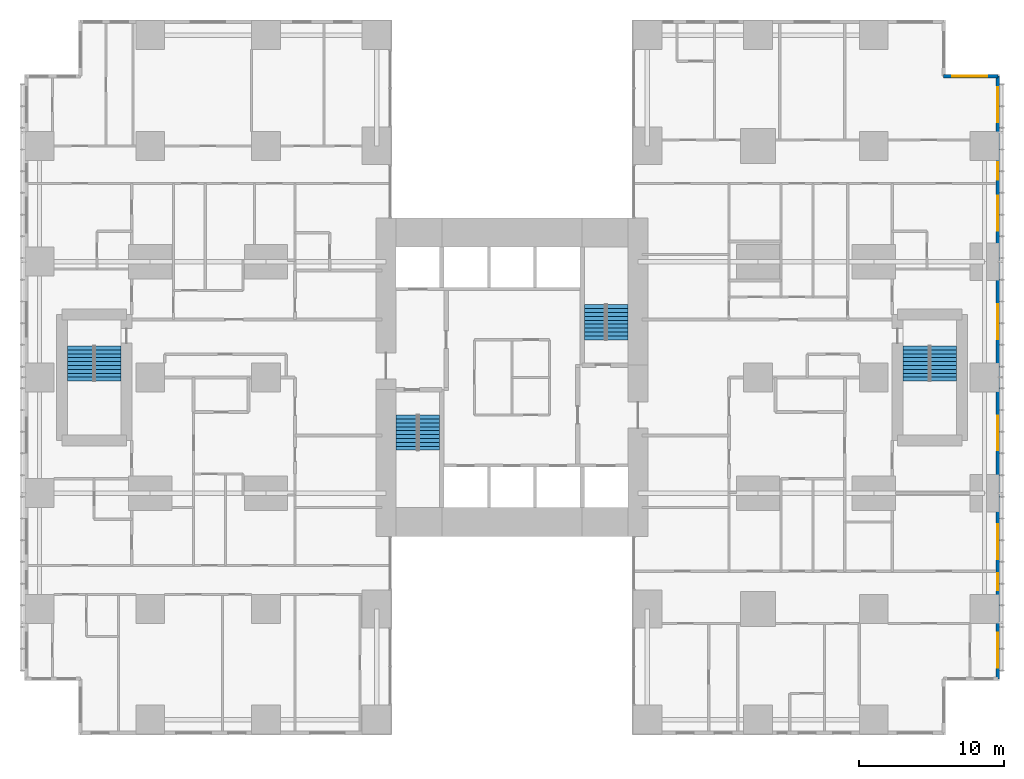
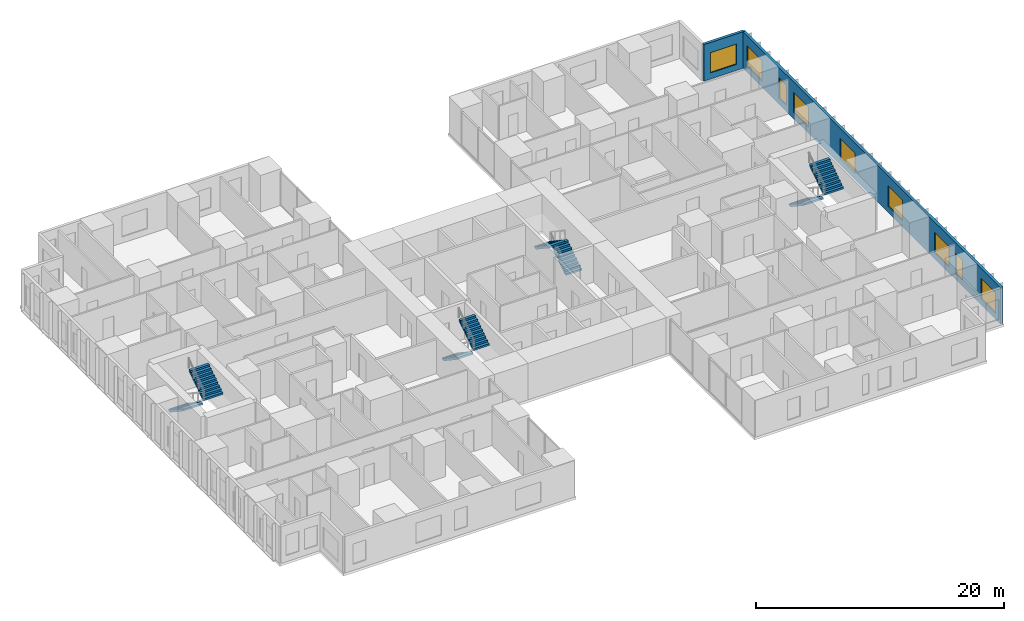
# One storey, part 19 of 20: 9 windows, 8 stair flights, 2 walls, 9 openings, 4 elements without a shape of their own.
"""IFC4 building model written with IfcOpenShell, lengths in metres."""

from ifc_helpers import new_model, si_unit, direction, frame, frame_2d, origin, place, context, subcontext, project, spatial, polyline, rectangle, outline, extrude, material, layer, layer_set, type_object, element, fill, aggregate, save


model = new_model("IFC4")

# Units and contexts
model_context = context("Model", 3, precision=1e-05, world=origin(), true_north=direction((0.0, 1.0)))
body_context = subcontext(model_context, "Body", "Model", "MODEL_VIEW")
ifc_project = project(units=[si_unit("LENGTHUNIT", "METRE"), si_unit("AREAUNIT", "SQUARE_METRE"), si_unit("VOLUMEUNIT", "CUBIC_METRE"), si_unit("PLANEANGLEUNIT", "RADIAN"), si_unit("MASSUNIT", "GRAM", prefix="KILO")], contexts=[model_context])

# Site, building, storey
site_placement = place(None, origin())
site = spatial("IfcSite", under=ifc_project, at=site_placement, CompositionType="ELEMENT")
building_placement = place(site_placement, origin())
building = spatial("IfcBuilding", under=site, at=building_placement, Name="Cleftline Residences", CompositionType="ELEMENT")
storey_placement = place(building_placement, frame((0.0, 0.0, 72.800048828125)))
storey = spatial("IfcBuildingStorey", under=building, at=storey_placement, Name="L18", CompositionType="ELEMENT", Elevation=72.800048828125)

# Wall, openings, windows
ifc_material_1 = material(Name="Rendered reinforced concrete blockwork", Category="masonry")
ifc_layer = layer(ifc_material_1, 0.25)
ifc_layer_set = layer_set([ifc_layer], Name="EXTERNAL WALL 250")
wall_type = type_object("IfcWallType", Name="EXTERNAL WALL 250", PredefinedType="SOLIDWALL", material=ifc_layer_set)
wall_1_placement = place(storey_placement, frame((66.574951171875, 3.175048828125, 0.0), z_axis=(0.0, 0.0, 1.0), x_axis=(0.0, 1.0, 0.0)))
wall_1 = element("IfcWall", 1, at=wall_1_placement, inside=storey, type_object=wall_type, Name="External wall", PredefinedType="SOLIDWALL", context=body_context, shape_type="SweptSolid", body=[
    extrude(rectangle(XDim=41.64990234375, YDim=0.25, at=frame_2d((20.824951171875, 0.0))), origin(), (0.0, 0.0, 1.0), 3.599853515625),
])
opening_1_placement = place(wall_1_placement, frame((0.77490234375, 0.0, 0.60009765625)))
opening_1 = element("IfcOpeningElement", 2, at=opening_1_placement, cuts=wall_1, Name="Opening W6", PredefinedType="OPENING", context=body_context, shape_type="SweptSolid", body=[
    extrude(rectangle(XDim=2.39990234375, YDim=2.0, at=frame_2d((1.199951171875, 1.0))), frame((0.0, 0.135009765625, 0.0), z_axis=(0.0, -1.0, 0.0), x_axis=(1.0, 0.0, 0.0)), (0.0, 0.0, 1.0), 0.27001953125),
])
opening_2_placement = place(wall_1_placement, frame((6.10009765625, 0.0, 0.60009765625)))
opening_2 = element("IfcOpeningElement", 3, at=opening_2_placement, cuts=wall_1, Name="Opening W8", PredefinedType="OPENING", context=body_context, shape_type="SweptSolid", body=[
    extrude(rectangle(XDim=1.199951171875, YDim=2.0, at=frame_2d((0.60009765625, 1.0))), frame((0.0, 0.135009765625, 0.0), z_axis=(0.0, -1.0, 0.0), x_axis=(1.0, 0.0, 0.0)), (0.0, 0.0, 1.0), 0.27001953125),
])
opening_3_placement = place(wall_1_placement, frame((8.27490234375, 0.0, 0.60009765625)))
opening_3 = element("IfcOpeningElement", 4, at=opening_3_placement, cuts=wall_1, Name="Opening W6", PredefinedType="OPENING", context=body_context, shape_type="SweptSolid", body=[
    extrude(rectangle(XDim=2.39990234375, YDim=2.0, at=frame_2d((1.199951171875, 1.0))), frame((0.0, 0.135009765625, 0.0), z_axis=(0.0, -1.0, 0.0), x_axis=(1.0, 0.0, 0.0)), (0.0, 0.0, 1.0), 0.27001953125),
])
opening_4_placement = place(wall_1_placement, frame((15.77490234375, 0.0, 0.60009765625)))
opening_4 = element("IfcOpeningElement", 5, at=opening_4_placement, cuts=wall_1, Name="Opening W6", PredefinedType="OPENING", context=body_context, shape_type="SweptSolid", body=[
    extrude(rectangle(XDim=2.39990234375, YDim=2.0, at=frame_2d((1.199951171875, 1.0))), frame((0.0, 0.135009765625, 0.0), z_axis=(0.0, -1.0, 0.0), x_axis=(1.0, 0.0, 0.0)), (0.0, 0.0, 1.0), 0.27001953125),
])
opening_5_placement = place(wall_1_placement, frame((23.47509765625, 0.0, 0.60009765625)))
opening_5 = element("IfcOpeningElement", 6, at=opening_5_placement, cuts=wall_1, Name="Opening W6", PredefinedType="OPENING", context=body_context, shape_type="SweptSolid", body=[
    extrude(rectangle(XDim=2.39990234375, YDim=2.0, at=frame_2d((1.199951171875, 1.0))), frame((0.0, 0.135009765625, 0.0), z_axis=(0.0, -1.0, 0.0), x_axis=(1.0, 0.0, 0.0)), (0.0, 0.0, 1.0), 0.27001953125),
])
opening_6_placement = place(wall_1_placement, frame((30.97509765625, 0.0, 0.60009765625)))
opening_6 = element("IfcOpeningElement", 7, at=opening_6_placement, cuts=wall_1, Name="Opening W6", PredefinedType="OPENING", context=body_context, shape_type="SweptSolid", body=[
    extrude(rectangle(XDim=2.39990234375, YDim=2.0, at=frame_2d((1.199951171875, 1.0))), frame((0.0, 0.135009765625, 0.0), z_axis=(0.0, -1.0, 0.0), x_axis=(1.0, 0.0, 0.0)), (0.0, 0.0, 1.0), 0.27001953125),
])
opening_7_placement = place(wall_1_placement, frame((34.5, 0.0, 0.60009765625)))
opening_7 = element("IfcOpeningElement", 8, at=opening_7_placement, cuts=wall_1, Name="Opening W8", PredefinedType="OPENING", context=body_context, shape_type="SweptSolid", body=[
    extrude(rectangle(XDim=1.199951171875, YDim=2.0, at=frame_2d((0.60009765625, 1.0))), frame((0.0, 0.135009765625, 0.0), z_axis=(0.0, -1.0, 0.0), x_axis=(1.0, 0.0, 0.0)), (0.0, 0.0, 1.0), 0.27001953125),
])
opening_8_placement = place(wall_1_placement, frame((38.47509765625, 0.0, 0.60009765625)))
opening_8 = element("IfcOpeningElement", 9, at=opening_8_placement, cuts=wall_1, Name="Opening W6", PredefinedType="OPENING", context=body_context, shape_type="SweptSolid", body=[
    extrude(rectangle(XDim=2.39990234375, YDim=2.0, at=frame_2d((1.199951171875, 1.0))), frame((0.0, 0.135009765625, 0.0), z_axis=(0.0, -1.0, 0.0), x_axis=(1.0, 0.0, 0.0)), (0.0, 0.0, 1.0), 0.27001953125),
])
ifc_material_2 = material(Name="Aluminium frame, clear double glazing", Category="aluminium")
window_type_1 = type_object("IfcWindowType", Name="WINDOW 1200X2000", PartitioningType="DOUBLE_PANEL_VERTICAL", PredefinedType="WINDOW", material=ifc_material_2)
window_1_placement = place(opening_2_placement, origin())
window_1 = element("IfcWindow", 10, at=window_1_placement, inside=storey, type_object=window_type_1, Name="Window", OverallHeight=2.0, OverallWidth=1.199951171875, PartitioningType="SINGLE_PANEL", PredefinedType="WINDOW", context=body_context, shape_type="SweptSolid", body=[
    extrude(rectangle(XDim=1.199951171875, YDim=2.0, at=frame_2d((0.60009765625, 1.0))), frame((0.0, 0.030029296875, 0.0), z_axis=(0.0, -1.0, 0.0), x_axis=(1.0, 0.0, 0.0)), (0.0, 0.0, 1.0), 0.06005859375),
])
fill(opening_2, window_1)
window_2_placement = place(opening_7_placement, origin())
window_2 = element("IfcWindow", 11, at=window_2_placement, inside=storey, type_object=window_type_1, Name="Window", OverallHeight=2.0, OverallWidth=1.199951171875, PartitioningType="SINGLE_PANEL", PredefinedType="WINDOW", context=body_context, shape_type="SweptSolid", body=[
    extrude(rectangle(XDim=1.199951171875, YDim=2.0, at=frame_2d((0.60009765625, 1.0))), frame((0.0, 0.030029296875, 0.0), z_axis=(0.0, -1.0, 0.0), x_axis=(1.0, 0.0, 0.0)), (0.0, 0.0, 1.0), 0.06005859375),
])
fill(opening_7, window_2)
ifc_material_3 = material(Name="Aluminium frame, clear double glazing", Category="aluminium")
window_type_2 = type_object("IfcWindowType", Name="WINDOW 2400X2000", PartitioningType="DOUBLE_PANEL_VERTICAL", PredefinedType="WINDOW", material=ifc_material_3)
window_3_placement = place(opening_1_placement, origin())
window_3 = element("IfcWindow", 12, at=window_3_placement, inside=storey, type_object=window_type_2, Name="Window", OverallHeight=2.0, OverallWidth=2.39990234375, PartitioningType="SINGLE_PANEL", PredefinedType="WINDOW", context=body_context, shape_type="SweptSolid", body=[
    extrude(rectangle(XDim=2.39990234375, YDim=2.0, at=frame_2d((1.199951171875, 1.0))), frame((0.0, 0.030029296875, 0.0), z_axis=(0.0, -1.0, 0.0), x_axis=(1.0, 0.0, 0.0)), (0.0, 0.0, 1.0), 0.06005859375),
])
fill(opening_1, window_3)
window_4_placement = place(opening_3_placement, origin())
window_4 = element("IfcWindow", 13, at=window_4_placement, inside=storey, type_object=window_type_2, Name="Window", OverallHeight=2.0, OverallWidth=2.39990234375, PartitioningType="SINGLE_PANEL", PredefinedType="WINDOW", context=body_context, shape_type="SweptSolid", body=[
    extrude(rectangle(XDim=2.39990234375, YDim=2.0, at=frame_2d((1.199951171875, 1.0))), frame((0.0, 0.030029296875, 0.0), z_axis=(0.0, -1.0, 0.0), x_axis=(1.0, 0.0, 0.0)), (0.0, 0.0, 1.0), 0.06005859375),
])
fill(opening_3, window_4)
window_5_placement = place(opening_4_placement, origin())
window_5 = element("IfcWindow", 14, at=window_5_placement, inside=storey, type_object=window_type_2, Name="Window", OverallHeight=2.0, OverallWidth=2.39990234375, PartitioningType="SINGLE_PANEL", PredefinedType="WINDOW", context=body_context, shape_type="SweptSolid", body=[
    extrude(rectangle(XDim=2.39990234375, YDim=2.0, at=frame_2d((1.199951171875, 1.0))), frame((0.0, 0.030029296875, 0.0), z_axis=(0.0, -1.0, 0.0), x_axis=(1.0, 0.0, 0.0)), (0.0, 0.0, 1.0), 0.06005859375),
])
fill(opening_4, window_5)
window_6_placement = place(opening_5_placement, origin())
window_6 = element("IfcWindow", 15, at=window_6_placement, inside=storey, type_object=window_type_2, Name="Window", OverallHeight=2.0, OverallWidth=2.39990234375, PartitioningType="SINGLE_PANEL", PredefinedType="WINDOW", context=body_context, shape_type="SweptSolid", body=[
    extrude(rectangle(XDim=2.39990234375, YDim=2.0, at=frame_2d((1.199951171875, 1.0))), frame((0.0, 0.030029296875, 0.0), z_axis=(0.0, -1.0, 0.0), x_axis=(1.0, 0.0, 0.0)), (0.0, 0.0, 1.0), 0.06005859375),
])
fill(opening_5, window_6)
window_7_placement = place(opening_6_placement, origin())
window_7 = element("IfcWindow", 16, at=window_7_placement, inside=storey, type_object=window_type_2, Name="Window", OverallHeight=2.0, OverallWidth=2.39990234375, PartitioningType="SINGLE_PANEL", PredefinedType="WINDOW", context=body_context, shape_type="SweptSolid", body=[
    extrude(rectangle(XDim=2.39990234375, YDim=2.0, at=frame_2d((1.199951171875, 1.0))), frame((0.0, 0.030029296875, 0.0), z_axis=(0.0, -1.0, 0.0), x_axis=(1.0, 0.0, 0.0)), (0.0, 0.0, 1.0), 0.06005859375),
])
fill(opening_6, window_7)
window_8_placement = place(opening_8_placement, origin())
window_8 = element("IfcWindow", 17, at=window_8_placement, inside=storey, type_object=window_type_2, Name="Window", OverallHeight=2.0, OverallWidth=2.39990234375, PartitioningType="SINGLE_PANEL", PredefinedType="WINDOW", context=body_context, shape_type="SweptSolid", body=[
    extrude(rectangle(XDim=2.39990234375, YDim=2.0, at=frame_2d((1.199951171875, 1.0))), frame((0.0, 0.030029296875, 0.0), z_axis=(0.0, -1.0, 0.0), x_axis=(1.0, 0.0, 0.0)), (0.0, 0.0, 1.0), 0.06005859375),
])
fill(opening_8, window_8)

# Wall, opening, window
wall_2_placement = place(storey_placement, frame((66.574951171875, 44.824951171875, 0.0), z_axis=(0.0, 0.0, 1.0), x_axis=(-1.0, 0.0, 0.0)))
wall_2 = element("IfcWall", 18, at=wall_2_placement, inside=storey, type_object=wall_type, Name="External wall", PredefinedType="SOLIDWALL", context=body_context, shape_type="SweptSolid", body=[
    extrude(rectangle(XDim=3.75, YDim=0.25, at=frame_2d((1.875, 0.0))), origin(), (0.0, 0.0, 1.0), 3.599853515625),
])
opening_9_placement = place(wall_2_placement, frame((0.737548828125, 0.0, 0.60009765625)))
opening_9 = element("IfcOpeningElement", 19, at=opening_9_placement, cuts=wall_2, Name="Opening W6", PredefinedType="OPENING", context=body_context, shape_type="SweptSolid", body=[
    extrude(rectangle(XDim=2.39990234375, YDim=2.0, at=frame_2d((1.199951171875, 1.0))), frame((0.0, 0.135009765625, 0.0), z_axis=(0.0, -1.0, 0.0), x_axis=(1.0, 0.0, 0.0)), (0.0, 0.0, 1.0), 0.27001953125),
])
window_9_placement = place(opening_9_placement, origin())
window_9 = element("IfcWindow", 20, at=window_9_placement, inside=storey, type_object=window_type_2, Name="Window", OverallHeight=2.0, OverallWidth=2.39990234375, PartitioningType="SINGLE_PANEL", PredefinedType="WINDOW", context=body_context, shape_type="SweptSolid", body=[
    extrude(rectangle(XDim=2.39990234375, YDim=2.0, at=frame_2d((1.199951171875, 1.0))), frame((0.0, 0.030029296875, 0.0), z_axis=(0.0, -1.0, 0.0), x_axis=(1.0, 0.0, 0.0)), (0.0, 0.0, 1.0), 0.06005859375),
])
fill(opening_9, window_9)

# Stair, stair flights
ifc_material_4 = material(Name="Concrete B45, stone treads", Category="masonry")
stair_type_1 = type_object("IfcStairType", Name="STAIR A 1450 WIDE 180 RISER", PredefinedType="HALF_TURN_STAIR", material=ifc_material_4)
stair_1_placement = place(storey_placement, origin())
stair_1 = element("IfcStair", 21, at=stair_1_placement, inside=storey, type_object=stair_type_1, Name="Stair A L18", PredefinedType="HALF_TURN_STAIR")
ifc_material_5 = material(Name="Concrete B45", Category="concrete")
stair_flight_type_1 = type_object("IfcStairFlightType", Name="STAIR A FLIGHT 1450X180", PredefinedType="STRAIGHT", material=ifc_material_5)
stair_flight_1_placement = place(storey_placement, frame((25.72509765625, 21.39990234375, 0.0), z_axis=(0.0, 0.0, 1.0), x_axis=(0.0, -1.0, 0.0)))
stair_flight_1 = element("IfcStairFlight", 22, at=stair_flight_1_placement, type_object=stair_flight_type_1, Name="ST-A flight 1", NumberOfRisers=10, NumberOfTreads=9, PredefinedType="STRAIGHT", RiserHeight=0.18, TreadLength=0.27, context=body_context, shape_type="SweptSolid", body=[
    extrude(outline(polyline([(0.0, 0.0), (0.0, 0.013916015625), (0.0, 0.027587890625), (0.0, 0.04150390625), (0.0, 0.055419921875), (0.0, 0.0693359375), (0.0, 0.0830078125), (0.0, 0.096923828125), (0.0, 0.11083984375), (0.0, 0.12451171875), (0.0, 0.138427734375), (0.0, 0.15234375), (0.0, 0.166259765625), (0.0, 0.179931640625), (0.27001953125, 0.179931640625), (0.27001953125, 0.360107421875), (0.5400390625, 0.360107421875), (0.5400390625, 0.5400390625), (0.81005859375, 0.5400390625), (0.81005859375, 0.719970703125), (1.080078125, 0.719970703125), (1.080078125, 0.89990234375), (1.35009765625, 0.89990234375), (1.35009765625, 1.080078125), (1.6201171875, 1.080078125), (1.6201171875, 1.260009765625), (1.889892578125, 1.260009765625), (1.889892578125, 1.43994140625), (2.159912109375, 1.43994140625), (2.159912109375, 1.6201171875), (2.429931640625, 1.6201171875), (2.429931640625, 1.800048828125), (2.429931640625, 1.772216796875), (2.429931640625, 1.74462890625), (2.429931640625, 1.716796875), (2.429931640625, 1.689208984375), (2.429931640625, 1.661376953125), (2.429931640625, 1.6337890625), (2.429931640625, 1.60595703125), (2.429931640625, 1.578369140625), (2.429931640625, 1.550537109375), (2.429931640625, 1.52294921875), (2.429931640625, 1.495361328125), (2.429931640625, 1.467529296875), (2.429931640625, 1.43994140625), (0.270263671875, 0.0), (0.0, 0.0)])), frame((0.0, 0.72509765625, 0.0), z_axis=(0.0, -1.0, 0.0), x_axis=(1.0, 0.0, 0.0)), (0.0, 0.0, 1.0), 1.449951171875),
])
stair_flight_2_placement = place(storey_placement, frame((27.27490234375, 18.969970703125, 1.800048828125), z_axis=(0.0, 0.0, 1.0), x_axis=(0.0, 1.0, 0.0)))
stair_flight_2 = element("IfcStairFlight", 23, at=stair_flight_2_placement, type_object=stair_flight_type_1, Name="ST-A flight 2", NumberOfRisers=10, NumberOfTreads=9, PredefinedType="STRAIGHT", RiserHeight=0.18, TreadLength=0.27, context=body_context, shape_type="SweptSolid", body=[
    extrude(outline(polyline([(0.0, 0.0), (0.0, 0.013916015625), (0.0, 0.027587890625), (0.0, 0.04150390625), (0.0, 0.055419921875), (0.0, 0.0693359375), (0.0, 0.0830078125), (0.0, 0.096923828125), (0.0, 0.11083984375), (0.0, 0.12451171875), (0.0, 0.138427734375), (0.0, 0.15234375), (0.0, 0.166259765625), (0.0, 0.179931640625), (0.27001953125, 0.179931640625), (0.27001953125, 0.360107421875), (0.5400390625, 0.360107421875), (0.5400390625, 0.5400390625), (0.81005859375, 0.5400390625), (0.81005859375, 0.719970703125), (1.080078125, 0.719970703125), (1.080078125, 0.89990234375), (1.35009765625, 0.89990234375), (1.35009765625, 1.080078125), (1.6201171875, 1.080078125), (1.6201171875, 1.260009765625), (1.889892578125, 1.260009765625), (1.889892578125, 1.43994140625), (2.159912109375, 1.43994140625), (2.159912109375, 1.6201171875), (2.429931640625, 1.6201171875), (2.429931640625, 1.800048828125), (2.429931640625, 1.772216796875), (2.429931640625, 1.74462890625), (2.429931640625, 1.716796875), (2.429931640625, 1.689208984375), (2.429931640625, 1.661376953125), (2.429931640625, 1.6337890625), (2.429931640625, 1.60595703125), (2.429931640625, 1.578369140625), (2.429931640625, 1.550537109375), (2.429931640625, 1.52294921875), (2.429931640625, 1.495361328125), (2.429931640625, 1.467529296875), (2.429931640625, 1.43994140625), (0.270263671875, 0.0), (0.0, 0.0)])), frame((0.0, 0.72509765625, 0.0), z_axis=(0.0, -1.0, 0.0), x_axis=(1.0, 0.0, 0.0)), (0.0, 0.0, 1.0), 1.449951171875),
])
aggregate(stair_1, [stair_flight_1, stair_flight_2])

ifc_material_6 = material(Name="Concrete B45, stone treads", Category="masonry")
stair_type_2 = type_object("IfcStairType", Name="STAIR B 1450 WIDE 180 RISER", PredefinedType="HALF_TURN_STAIR", material=ifc_material_6)
stair_2_placement = place(storey_placement, origin())
stair_2 = element("IfcStair", 24, at=stair_2_placement, inside=storey, type_object=stair_type_2, Name="Stair B L18", PredefinedType="HALF_TURN_STAIR")
ifc_material_7 = material(Name="Concrete B45", Category="concrete")
stair_flight_type_2 = type_object("IfcStairFlightType", Name="STAIR B FLIGHT 1450X180", PredefinedType="STRAIGHT", material=ifc_material_7)
stair_flight_3_placement = place(storey_placement, frame((40.27490234375, 26.60009765625, 0.0), z_axis=(0.0, 0.0, 1.0), x_axis=(0.0, 1.0, 0.0)))
stair_flight_3 = element("IfcStairFlight", 25, at=stair_flight_3_placement, type_object=stair_flight_type_2, Name="ST-B flight 1", NumberOfRisers=10, NumberOfTreads=9, PredefinedType="STRAIGHT", RiserHeight=0.18, TreadLength=0.27, context=body_context, shape_type="SweptSolid", body=[
    extrude(outline(polyline([(0.0, 0.0), (0.0, 0.013916015625), (0.0, 0.027587890625), (0.0, 0.04150390625), (0.0, 0.055419921875), (0.0, 0.0693359375), (0.0, 0.0830078125), (0.0, 0.096923828125), (0.0, 0.11083984375), (0.0, 0.12451171875), (0.0, 0.138427734375), (0.0, 0.15234375), (0.0, 0.166259765625), (0.0, 0.179931640625), (0.27001953125, 0.179931640625), (0.27001953125, 0.360107421875), (0.5400390625, 0.360107421875), (0.5400390625, 0.5400390625), (0.81005859375, 0.5400390625), (0.81005859375, 0.719970703125), (1.080078125, 0.719970703125), (1.080078125, 0.89990234375), (1.35009765625, 0.89990234375), (1.35009765625, 1.080078125), (1.6201171875, 1.080078125), (1.6201171875, 1.260009765625), (1.889892578125, 1.260009765625), (1.889892578125, 1.43994140625), (2.159912109375, 1.43994140625), (2.159912109375, 1.6201171875), (2.429931640625, 1.6201171875), (2.429931640625, 1.800048828125), (2.429931640625, 1.772216796875), (2.429931640625, 1.74462890625), (2.429931640625, 1.716796875), (2.429931640625, 1.689208984375), (2.429931640625, 1.661376953125), (2.429931640625, 1.6337890625), (2.429931640625, 1.60595703125), (2.429931640625, 1.578369140625), (2.429931640625, 1.550537109375), (2.429931640625, 1.52294921875), (2.429931640625, 1.495361328125), (2.429931640625, 1.467529296875), (2.429931640625, 1.43994140625), (0.270263671875, 0.0), (0.0, 0.0)])), frame((0.0, 0.72509765625, 0.0), z_axis=(0.0, -1.0, 0.0), x_axis=(1.0, 0.0, 0.0)), (0.0, 0.0, 1.0), 1.449951171875),
])
stair_flight_4_placement = place(storey_placement, frame((38.72509765625, 29.030029296875, 1.800048828125), z_axis=(0.0, 0.0, 1.0), x_axis=(0.0, -1.0, 0.0)))
stair_flight_4 = element("IfcStairFlight", 26, at=stair_flight_4_placement, type_object=stair_flight_type_2, Name="ST-B flight 2", NumberOfRisers=10, NumberOfTreads=9, PredefinedType="STRAIGHT", RiserHeight=0.18, TreadLength=0.27, context=body_context, shape_type="SweptSolid", body=[
    extrude(outline(polyline([(0.0, 0.0), (0.0, 0.013916015625), (0.0, 0.027587890625), (0.0, 0.04150390625), (0.0, 0.055419921875), (0.0, 0.0693359375), (0.0, 0.0830078125), (0.0, 0.096923828125), (0.0, 0.11083984375), (0.0, 0.12451171875), (0.0, 0.138427734375), (0.0, 0.15234375), (0.0, 0.166259765625), (0.0, 0.179931640625), (0.27001953125, 0.179931640625), (0.27001953125, 0.360107421875), (0.5400390625, 0.360107421875), (0.5400390625, 0.5400390625), (0.81005859375, 0.5400390625), (0.81005859375, 0.719970703125), (1.080078125, 0.719970703125), (1.080078125, 0.89990234375), (1.35009765625, 0.89990234375), (1.35009765625, 1.080078125), (1.6201171875, 1.080078125), (1.6201171875, 1.260009765625), (1.889892578125, 1.260009765625), (1.889892578125, 1.43994140625), (2.159912109375, 1.43994140625), (2.159912109375, 1.6201171875), (2.429931640625, 1.6201171875), (2.429931640625, 1.800048828125), (2.429931640625, 1.772216796875), (2.429931640625, 1.74462890625), (2.429931640625, 1.716796875), (2.429931640625, 1.689208984375), (2.429931640625, 1.661376953125), (2.429931640625, 1.6337890625), (2.429931640625, 1.60595703125), (2.429931640625, 1.578369140625), (2.429931640625, 1.550537109375), (2.429931640625, 1.52294921875), (2.429931640625, 1.495361328125), (2.429931640625, 1.467529296875), (2.429931640625, 1.43994140625), (0.270263671875, 0.0), (0.0, 0.0)])), frame((0.0, 0.72509765625, 0.0), z_axis=(0.0, -1.0, 0.0), x_axis=(1.0, 0.0, 0.0)), (0.0, 0.0, 1.0), 1.449951171875),
])
aggregate(stair_2, [stair_flight_3, stair_flight_4])

ifc_material_8 = material(Name="Concrete B45, stone treads", Category="masonry")
stair_type_3 = type_object("IfcStairType", Name="STAIR E 1800 WIDE 180 RISER", PredefinedType="HALF_TURN_STAIR", material=ifc_material_8)
stair_3_placement = place(storey_placement, origin())
stair_3 = element("IfcStair", 27, at=stair_3_placement, inside=storey, type_object=stair_type_3, Name="Stair E L18", PredefinedType="HALF_TURN_STAIR")
ifc_material_9 = material(Name="Concrete B45", Category="concrete")
stair_flight_type_3 = type_object("IfcStairFlightType", Name="STAIR E FLIGHT 1800X180", PredefinedType="STRAIGHT", material=ifc_material_9)
stair_flight_5_placement = place(storey_placement, frame((60.925048828125, 26.175048828125, 0.0), z_axis=(0.0, 0.0, 1.0), x_axis=(0.0, -1.0, 0.0)))
stair_flight_5 = element("IfcStairFlight", 28, at=stair_flight_5_placement, type_object=stair_flight_type_3, Name="ST-E flight 1", NumberOfRisers=10, NumberOfTreads=9, PredefinedType="STRAIGHT", RiserHeight=0.18, TreadLength=0.27, context=body_context, shape_type="SweptSolid", body=[
    extrude(outline(polyline([(0.0, 0.0), (0.0, 0.013916015625), (0.0, 0.027587890625), (0.0, 0.04150390625), (0.0, 0.055419921875), (0.0, 0.0693359375), (0.0, 0.0830078125), (0.0, 0.096923828125), (0.0, 0.11083984375), (0.0, 0.12451171875), (0.0, 0.138427734375), (0.0, 0.15234375), (0.0, 0.166259765625), (0.0, 0.179931640625), (0.27001953125, 0.179931640625), (0.27001953125, 0.360107421875), (0.5400390625, 0.360107421875), (0.5400390625, 0.5400390625), (0.81005859375, 0.5400390625), (0.81005859375, 0.719970703125), (1.080078125, 0.719970703125), (1.080078125, 0.89990234375), (1.35009765625, 0.89990234375), (1.35009765625, 1.080078125), (1.6201171875, 1.080078125), (1.6201171875, 1.260009765625), (1.889892578125, 1.260009765625), (1.889892578125, 1.43994140625), (2.159912109375, 1.43994140625), (2.159912109375, 1.6201171875), (2.429931640625, 1.6201171875), (2.429931640625, 1.800048828125), (2.429931640625, 1.772216796875), (2.429931640625, 1.74462890625), (2.429931640625, 1.716796875), (2.429931640625, 1.689208984375), (2.429931640625, 1.661376953125), (2.429931640625, 1.6337890625), (2.429931640625, 1.60595703125), (2.429931640625, 1.578369140625), (2.429931640625, 1.550537109375), (2.429931640625, 1.52294921875), (2.429931640625, 1.495361328125), (2.429931640625, 1.467529296875), (2.429931640625, 1.43994140625), (0.270263671875, 0.0), (0.0, 0.0)])), frame((0.0, 0.89990234375, 0.0), z_axis=(0.0, -1.0, 0.0), x_axis=(1.0, 0.0, 0.0)), (0.0, 0.0, 1.0), 1.800048828125),
])
stair_flight_6_placement = place(storey_placement, frame((62.824951171875, 23.7451171875, 1.800048828125), z_axis=(0.0, 0.0, 1.0), x_axis=(0.0, 1.0, 0.0)))
stair_flight_6 = element("IfcStairFlight", 29, at=stair_flight_6_placement, type_object=stair_flight_type_3, Name="ST-E flight 2", NumberOfRisers=10, NumberOfTreads=9, PredefinedType="STRAIGHT", RiserHeight=0.18, TreadLength=0.27, context=body_context, shape_type="SweptSolid", body=[
    extrude(outline(polyline([(0.0, 0.0), (0.0, 0.013916015625), (0.0, 0.027587890625), (0.0, 0.04150390625), (0.0, 0.055419921875), (0.0, 0.0693359375), (0.0, 0.0830078125), (0.0, 0.096923828125), (0.0, 0.11083984375), (0.0, 0.12451171875), (0.0, 0.138427734375), (0.0, 0.15234375), (0.0, 0.166259765625), (0.0, 0.179931640625), (0.27001953125, 0.179931640625), (0.27001953125, 0.360107421875), (0.5400390625, 0.360107421875), (0.5400390625, 0.5400390625), (0.81005859375, 0.5400390625), (0.81005859375, 0.719970703125), (1.080078125, 0.719970703125), (1.080078125, 0.89990234375), (1.35009765625, 0.89990234375), (1.35009765625, 1.080078125), (1.6201171875, 1.080078125), (1.6201171875, 1.260009765625), (1.889892578125, 1.260009765625), (1.889892578125, 1.43994140625), (2.159912109375, 1.43994140625), (2.159912109375, 1.6201171875), (2.429931640625, 1.6201171875), (2.429931640625, 1.800048828125), (2.429931640625, 1.772216796875), (2.429931640625, 1.74462890625), (2.429931640625, 1.716796875), (2.429931640625, 1.689208984375), (2.429931640625, 1.661376953125), (2.429931640625, 1.6337890625), (2.429931640625, 1.60595703125), (2.429931640625, 1.578369140625), (2.429931640625, 1.550537109375), (2.429931640625, 1.52294921875), (2.429931640625, 1.495361328125), (2.429931640625, 1.467529296875), (2.429931640625, 1.43994140625), (0.270263671875, 0.0), (0.0, 0.0)])), frame((0.0, 0.89990234375, 0.0), z_axis=(0.0, -1.0, 0.0), x_axis=(1.0, 0.0, 0.0)), (0.0, 0.0, 1.0), 1.800048828125),
])
aggregate(stair_3, [stair_flight_5, stair_flight_6])

ifc_material_10 = material(Name="Concrete B45, stone treads", Category="masonry")
stair_type_4 = type_object("IfcStairType", Name="STAIR W 1800 WIDE 180 RISER", PredefinedType="HALF_TURN_STAIR", material=ifc_material_10)
stair_4_placement = place(storey_placement, origin())
stair_4 = element("IfcStair", 30, at=stair_4_placement, inside=storey, type_object=stair_type_4, Name="Stair W L18", PredefinedType="HALF_TURN_STAIR")
ifc_material_11 = material(Name="Concrete B45", Category="concrete")
stair_flight_type_4 = type_object("IfcStairFlightType", Name="STAIR W FLIGHT 1800X180", PredefinedType="STRAIGHT", material=ifc_material_11)
stair_flight_7_placement = place(storey_placement, frame((3.175048828125, 26.175048828125, 0.0), z_axis=(0.0, 0.0, 1.0), x_axis=(0.0, -1.0, 0.0)))
stair_flight_7 = element("IfcStairFlight", 31, at=stair_flight_7_placement, type_object=stair_flight_type_4, Name="ST-W flight 1", NumberOfRisers=10, NumberOfTreads=9, PredefinedType="STRAIGHT", RiserHeight=0.18, TreadLength=0.27, context=body_context, shape_type="SweptSolid", body=[
    extrude(outline(polyline([(0.0, 0.0), (0.0, 0.013916015625), (0.0, 0.027587890625), (0.0, 0.04150390625), (0.0, 0.055419921875), (0.0, 0.0693359375), (0.0, 0.0830078125), (0.0, 0.096923828125), (0.0, 0.11083984375), (0.0, 0.12451171875), (0.0, 0.138427734375), (0.0, 0.15234375), (0.0, 0.166259765625), (0.0, 0.179931640625), (0.27001953125, 0.179931640625), (0.27001953125, 0.360107421875), (0.5400390625, 0.360107421875), (0.5400390625, 0.5400390625), (0.81005859375, 0.5400390625), (0.81005859375, 0.719970703125), (1.080078125, 0.719970703125), (1.080078125, 0.89990234375), (1.35009765625, 0.89990234375), (1.35009765625, 1.080078125), (1.6201171875, 1.080078125), (1.6201171875, 1.260009765625), (1.889892578125, 1.260009765625), (1.889892578125, 1.43994140625), (2.159912109375, 1.43994140625), (2.159912109375, 1.6201171875), (2.429931640625, 1.6201171875), (2.429931640625, 1.800048828125), (2.429931640625, 1.772216796875), (2.429931640625, 1.74462890625), (2.429931640625, 1.716796875), (2.429931640625, 1.689208984375), (2.429931640625, 1.661376953125), (2.429931640625, 1.6337890625), (2.429931640625, 1.60595703125), (2.429931640625, 1.578369140625), (2.429931640625, 1.550537109375), (2.429931640625, 1.52294921875), (2.429931640625, 1.495361328125), (2.429931640625, 1.467529296875), (2.429931640625, 1.43994140625), (0.270263671875, 0.0), (0.0, 0.0)])), frame((0.0, 0.89990234375, 0.0), z_axis=(0.0, -1.0, 0.0), x_axis=(1.0, 0.0, 0.0)), (0.0, 0.0, 1.0), 1.800048828125),
])
stair_flight_8_placement = place(storey_placement, frame((5.074951171875, 23.7451171875, 1.800048828125), z_axis=(0.0, 0.0, 1.0), x_axis=(0.0, 1.0, 0.0)))
stair_flight_8 = element("IfcStairFlight", 32, at=stair_flight_8_placement, type_object=stair_flight_type_4, Name="ST-W flight 2", NumberOfRisers=10, NumberOfTreads=9, PredefinedType="STRAIGHT", RiserHeight=0.18, TreadLength=0.27, context=body_context, shape_type="SweptSolid", body=[
    extrude(outline(polyline([(0.0, 0.0), (0.0, 0.013916015625), (0.0, 0.027587890625), (0.0, 0.04150390625), (0.0, 0.055419921875), (0.0, 0.0693359375), (0.0, 0.0830078125), (0.0, 0.096923828125), (0.0, 0.11083984375), (0.0, 0.12451171875), (0.0, 0.138427734375), (0.0, 0.15234375), (0.0, 0.166259765625), (0.0, 0.179931640625), (0.27001953125, 0.179931640625), (0.27001953125, 0.360107421875), (0.5400390625, 0.360107421875), (0.5400390625, 0.5400390625), (0.81005859375, 0.5400390625), (0.81005859375, 0.719970703125), (1.080078125, 0.719970703125), (1.080078125, 0.89990234375), (1.35009765625, 0.89990234375), (1.35009765625, 1.080078125), (1.6201171875, 1.080078125), (1.6201171875, 1.260009765625), (1.889892578125, 1.260009765625), (1.889892578125, 1.43994140625), (2.159912109375, 1.43994140625), (2.159912109375, 1.6201171875), (2.429931640625, 1.6201171875), (2.429931640625, 1.800048828125), (2.429931640625, 1.772216796875), (2.429931640625, 1.74462890625), (2.429931640625, 1.716796875), (2.429931640625, 1.689208984375), (2.429931640625, 1.661376953125), (2.429931640625, 1.6337890625), (2.429931640625, 1.60595703125), (2.429931640625, 1.578369140625), (2.429931640625, 1.550537109375), (2.429931640625, 1.52294921875), (2.429931640625, 1.495361328125), (2.429931640625, 1.467529296875), (2.429931640625, 1.43994140625), (0.270263671875, 0.0), (0.0, 0.0)])), frame((0.0, 0.89990234375, 0.0), z_axis=(0.0, -1.0, 0.0), x_axis=(1.0, 0.0, 0.0)), (0.0, 0.0, 1.0), 1.800048828125),
])
aggregate(stair_4, [stair_flight_7, stair_flight_8])

save(model, "model.ifc")
